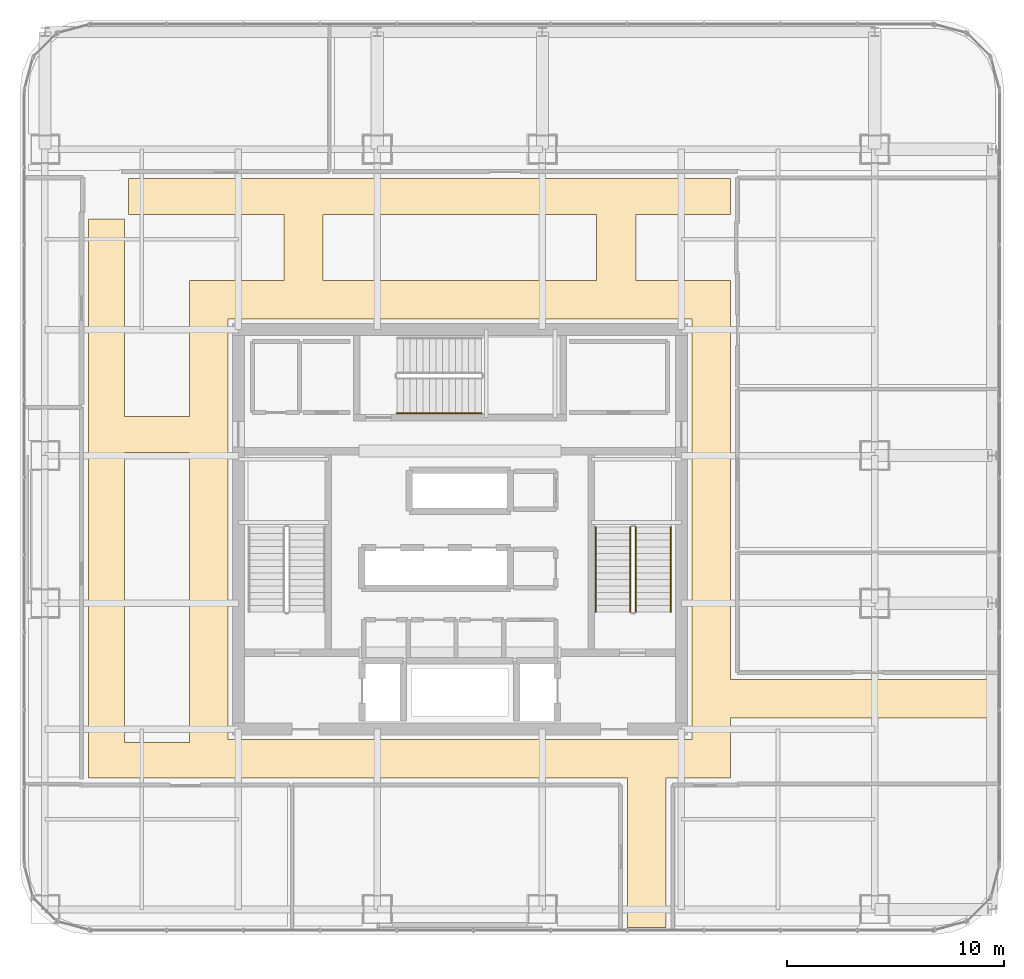
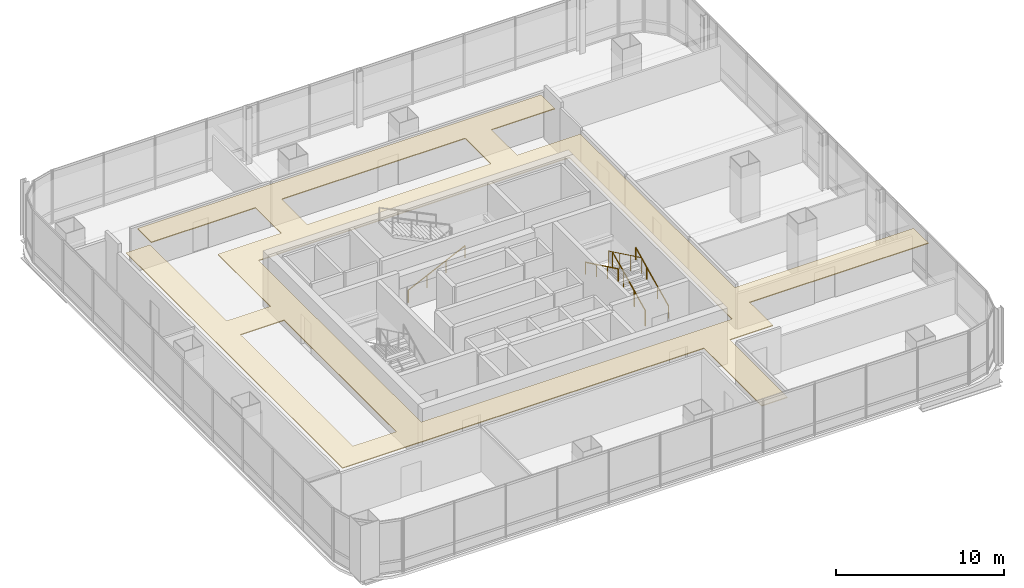
# One storey, part 40 of 42: 5 railings, 1 covering.
"""IFC4 building model written with IfcOpenShell, lengths in metres."""

from ifc_helpers import new_model, si_unit, direction, frame, origin, origin_2d, place, context, subcontext, project, spatial, polyline, circle, outline, extrude, material, layer, layer_set, type_object, element, save


model = new_model("IFC4")

# Units and contexts
model_context = context("Model", 3, precision=1e-05, world=origin(), true_north=direction((0.0, 1.0)))
body_context = subcontext(model_context, "Body", "Model", "MODEL_VIEW")
ifc_project = project(units=[si_unit("LENGTHUNIT", "METRE"), si_unit("AREAUNIT", "SQUARE_METRE"), si_unit("VOLUMEUNIT", "CUBIC_METRE"), si_unit("PLANEANGLEUNIT", "RADIAN"), si_unit("MASSUNIT", "GRAM", prefix="KILO")], contexts=[model_context])

# Site, building, storey
site_placement = place(None, origin())
site = spatial("IfcSite", under=ifc_project, at=site_placement, CompositionType="ELEMENT")
building_placement = place(site_placement, origin())
building = spatial("IfcBuilding", under=site, at=building_placement, Name="Punatoya Terracotta Tower", CompositionType="ELEMENT")
storey_placement = place(building_placement, frame((0.0, 0.0, 259.5)))
storey = spatial("IfcBuildingStorey", under=building, at=storey_placement, Name="L61", CompositionType="ELEMENT", Elevation=259.5)

# Covering
ifc_material_1 = material(Name="Acoustic Mineral Fibre Ceiling")
ifc_layer = layer(ifc_material_1, 0.06005859375)
ifc_layer_set = layer_set([ifc_layer], Name="Acoustic Mineral Fibre Ceiling")
covering_type = type_object("IfcCoveringType", Name="COV-CEIL-60", PredefinedType="CEILING", material=ifc_layer_set)
covering_placement = place(storey_placement, frame((0.0, 0.0, 3.239990234375)))
element("IfcCovering", 1, at=covering_placement, inside=storey, type_object=covering_type, Name="L61 Loop Circulation Corridor Acoustic Ceiling", PredefinedType="CEILING", context=body_context, shape_type="SweptSolid", body=[
    extrude(outline(polyline([(9.47998046875, -11.449951171875), (12.449951171875, -11.449951171875), (12.449951171875, -8.679931640625), (24.72998046875, -8.679931640625), (24.72998046875, -6.919921875), (12.449951171875, -6.919921875), (12.449951171875, 11.449951171875), (8.10009765625, 11.449951171875), (8.10009765625, 14.5), (12.449951171875, 14.5), (12.449951171875, 16.14990234375), (-15.25, 16.14990234375), (-15.25, 14.5), (-8.10009765625, 14.5), (-8.10009765625, 11.449951171875), (-12.449951171875, 11.449951171875), (-12.449951171875, 5.199951171875), (-15.449951171875, 5.199951171875), (-15.449951171875, 14.300048828125), (-17.10009765625, 14.300048828125), (-17.10009765625, -11.449951171875), (7.719970703125, -11.449951171875), (7.719970703125, -18.330078125), (9.47998046875, -18.330078125), (9.47998046875, -11.449951171875)]), holes=[polyline([(10.679931640625, 9.679931640625), (10.679931640625, -9.679931640625), (-10.679931640625, -9.679931640625), (-10.679931640625, 9.679931640625), (10.679931640625, 9.679931640625)]), polyline([(6.300048828125, 14.5), (6.300048828125, 11.449951171875), (-6.300048828125, 11.449951171875), (-6.300048828125, 14.5), (6.300048828125, 14.5)]), polyline([(-12.449951171875, 3.550048828125), (-12.449951171875, -9.800048828125), (-15.449951171875, -9.800048828125), (-15.449951171875, 3.550048828125), (-12.449951171875, 3.550048828125)])]), origin(), (0.0, 0.0, 1.0), 0.06005859375),
])

# Railings
ifc_material_2 = material(Name="Steel S355", Category="steel")
railing_type_1 = type_object("IfcRailingType", Name="RLG-GRD-1150", PredefinedType="GUARDRAIL", material=ifc_material_2)
railing_1_placement = place(storey_placement, frame((8.10009765625, -3.800048828125, 0.14453125)))
element("IfcRailing", 2, at=railing_1_placement, inside=storey, type_object=railing_type_1, Name="L61 ST-2 stair guard 1", PredefinedType="GUARDRAIL", context=body_context, shape_type="SweptSolid", body=[
    extrude(circle(Radius=0.02392578125, at=origin_2d()), frame((0.0, 0.0, 1.1259765625), z_axis=(0.0, 0.900773802044, 0.434288564841), x_axis=(-1.0, 0.0, 0.0)), (0.0, 0.0, 1.0), 4.329833984375),
    extrude(circle(Radius=0.02099609375, at=origin_2d()), origin(), (0.0, 0.0, 1.0), 1.101806640625),
    extrude(circle(Radius=0.02099609375, at=origin_2d()), frame((0.0, 1.300048828125, 0.626708984375)), (0.0, 0.0, 1.0), 1.101806640625),
    extrude(circle(Radius=0.02099609375, at=origin_2d()), frame((0.0, 2.60009765625, 1.253662109375)), (0.0, 0.0, 1.0), 1.101806640625),
    extrude(circle(Radius=0.02099609375, at=origin_2d()), frame((0.0, 3.900146484375, 1.88037109375)), (0.0, 0.0, 1.0), 1.101806640625),
])
railing_2_placement = place(storey_placement, frame((7.85009765625, 0.10009765625, 2.169677734375)))
element("IfcRailing", 3, at=railing_2_placement, inside=storey, type_object=railing_type_1, Name="L61 ST-2 stair guard 3", PredefinedType="GUARDRAIL", context=body_context, shape_type="SweptSolid", body=[
    extrude(circle(Radius=0.02392578125, at=origin_2d()), frame((0.0, 0.0, 1.1259765625), z_axis=(0.0, -0.900773802044, 0.434288564841), x_axis=(1.0, 0.0, 0.0)), (0.0, 0.0, 1.0), 4.329833984375),
    extrude(circle(Radius=0.02099609375, at=origin_2d()), origin(), (0.0, 0.0, 1.0), 1.101806640625),
    extrude(circle(Radius=0.02099609375, at=origin_2d()), frame((0.0, -1.300048828125, 0.626708984375)), (0.0, 0.0, 1.0), 1.101806640625),
    extrude(circle(Radius=0.02099609375, at=origin_2d()), frame((0.0, -2.60009765625, 1.253662109375)), (0.0, 0.0, 1.0), 1.101806640625),
    extrude(circle(Radius=0.02099609375, at=origin_2d()), frame((0.0, -3.900146484375, 1.88037109375)), (0.0, 0.0, 1.0), 1.101806640625),
])
railing_type_2 = type_object("IfcRailingType", Name="RLG-HND-900", PredefinedType="HANDRAIL", material=ifc_material_2)
railing_3_placement = place(storey_placement, frame((9.699951171875, -3.800048828125, 0.14453125)))
element("IfcRailing", 4, at=railing_3_placement, inside=storey, type_object=railing_type_2, Name="L61 ST-2 stair handrail 1", PredefinedType="HANDRAIL", context=body_context, shape_type="SweptSolid", body=[
    extrude(circle(Radius=0.02392578125, at=origin_2d()), frame((0.0, 0.0, 0.8759765625), z_axis=(0.0, 0.900773802044, 0.434288564841), x_axis=(-1.0, 0.0, 0.0)), (0.0, 0.0, 1.0), 4.329833984375),
    extrude(circle(Radius=0.02099609375, at=origin_2d()), origin(), (0.0, 0.0, 1.0), 0.851806640625),
    extrude(circle(Radius=0.02099609375, at=origin_2d()), frame((0.0, 1.300048828125, 0.626708984375)), (0.0, 0.0, 1.0), 0.851806640625),
    extrude(circle(Radius=0.02099609375, at=origin_2d()), frame((0.0, 2.60009765625, 1.253662109375)), (0.0, 0.0, 1.0), 0.851806640625),
    extrude(circle(Radius=0.02099609375, at=origin_2d()), frame((0.0, 3.900146484375, 1.88037109375)), (0.0, 0.0, 1.0), 0.851806640625),
])
railing_4_placement = place(storey_placement, frame((6.25, 0.10009765625, 2.169677734375)))
element("IfcRailing", 5, at=railing_4_placement, inside=storey, type_object=railing_type_2, Name="L61 ST-2 stair handrail 2", PredefinedType="HANDRAIL", context=body_context, shape_type="SweptSolid", body=[
    extrude(circle(Radius=0.02392578125, at=origin_2d()), frame((0.0, 0.0, 0.8759765625), z_axis=(0.0, -0.900773802044, 0.434288564841), x_axis=(1.0, 0.0, 0.0)), (0.0, 0.0, 1.0), 4.329833984375),
    extrude(circle(Radius=0.02099609375, at=origin_2d()), origin(), (0.0, 0.0, 1.0), 0.851806640625),
    extrude(circle(Radius=0.02099609375, at=origin_2d()), frame((0.0, -1.300048828125, 0.626708984375)), (0.0, 0.0, 1.0), 0.851806640625),
    extrude(circle(Radius=0.02099609375, at=origin_2d()), frame((0.0, -2.60009765625, 1.253662109375)), (0.0, 0.0, 1.0), 0.851806640625),
    extrude(circle(Radius=0.02099609375, at=origin_2d()), frame((0.0, -3.900146484375, 1.88037109375)), (0.0, 0.0, 1.0), 0.851806640625),
])
railing_5_placement = place(storey_placement, frame((-2.89990234375, 5.35009765625, 0.14453125)))
element("IfcRailing", 6, at=railing_5_placement, inside=storey, type_object=railing_type_2, Name="L61 ST-3 stair handrail 1", PredefinedType="HANDRAIL", context=body_context, shape_type="SweptSolid", body=[
    extrude(circle(Radius=0.02392578125, at=origin_2d()), frame((0.0, 0.0, 0.8759765625), z_axis=(0.900763166376, 0.0, 0.434310623978), x_axis=(0.0, 1.0, 0.0)), (0.0, 0.0, 1.0), 4.32958984375),
    extrude(circle(Radius=0.02099609375, at=origin_2d()), origin(), (0.0, 0.0, 1.0), 0.851806640625),
    extrude(circle(Radius=0.02099609375, at=origin_2d()), frame((1.300048828125, 0.0, 0.626708984375)), (0.0, 0.0, 1.0), 0.851806640625),
    extrude(circle(Radius=0.02099609375, at=origin_2d()), frame((2.599853515625, 0.0, 1.253662109375)), (0.0, 0.0, 1.0), 0.851806640625),
    extrude(circle(Radius=0.02099609375, at=origin_2d()), frame((3.89990234375, 0.0, 1.88037109375)), (0.0, 0.0, 1.0), 0.851806640625),
])

save(model, "model.ifc")
